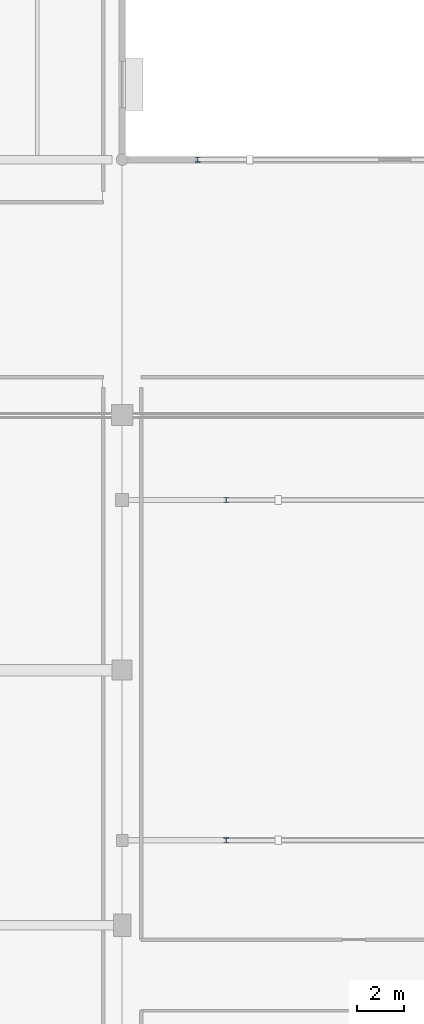
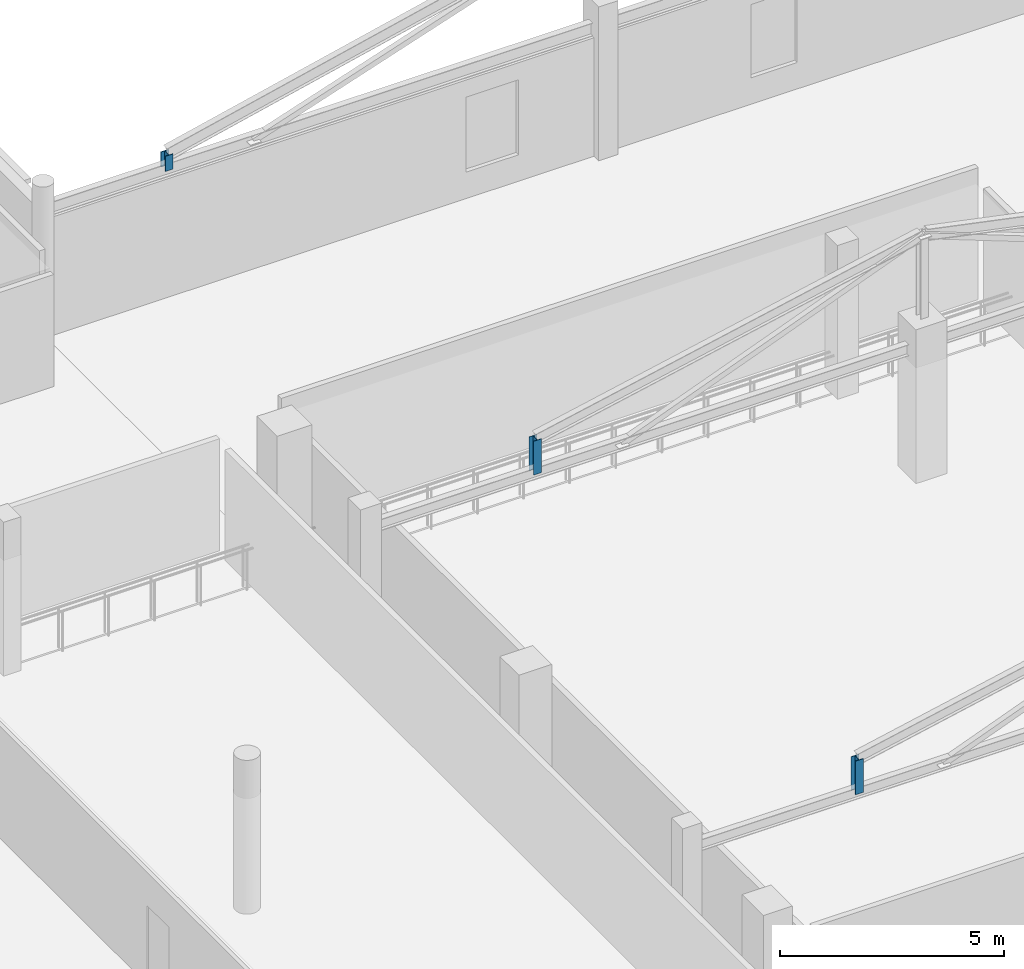
# One storey, part 45 of 92: 3 members.
"""IFC4 building model written with IfcOpenShell, lengths in metres."""

from ifc_helpers import new_model, si_unit, direction, frame, origin, origin_2d, place, context, subcontext, project, spatial, i_section, extrude, material, material_profile, profile_set, type_object, element, save


model = new_model("IFC4")

# Units and contexts
model_context = context("Model", 3, precision=1e-05, world=origin(), true_north=direction((0.0, 1.0)))
body_context = subcontext(model_context, "Body", "Model", "MODEL_VIEW")
ifc_project = project(units=[si_unit("LENGTHUNIT", "METRE"), si_unit("AREAUNIT", "SQUARE_METRE"), si_unit("VOLUMEUNIT", "CUBIC_METRE"), si_unit("PLANEANGLEUNIT", "RADIAN"), si_unit("MASSUNIT", "GRAM", prefix="KILO")], contexts=[model_context])

# Site, building, storey
site_placement = place(None, origin())
site = spatial("IfcSite", under=ifc_project, at=site_placement, CompositionType="ELEMENT")
building_placement = place(site_placement, origin())
building = spatial("IfcBuilding", under=site, at=building_placement, Name="Solanera Park Tramway Depot", CompositionType="ELEMENT")
storey_placement = place(building_placement, frame((0.0, 0.0, 4.800048828125)))
storey = spatial("IfcBuildingStorey", under=building, at=storey_placement, Name="L01", CompositionType="ELEMENT", Elevation=4.800048828125)

# Members
ifc_material = material(Name="Steel AS/NZS 3679.1 Grade 350", Category="steel")
ifc_material_profile = material_profile(ifc_material, i_section(OverallWidth=0.205078125, OverallDepth=0.209716796875, WebThickness=0.00927734375, FlangeThickness=0.01416015625, at=origin_2d()), Name="200UC59.5")
ifc_profile_set = profile_set([ifc_material_profile], Name="Steel AS/NZS 3679.1 Grade 350")
member_type = type_object("IfcMemberType", Name="Roof Gantry Compression Strut 200UC59.5", PredefinedType="STRUT", material=ifc_profile_set)
member_1_placement = place(storey_placement, frame((191.60009765625, 36.0, 3.453125), z_axis=(0.0, 0.0, 1.0), x_axis=(1.0, 0.0, 0.0)))
element("IfcMember", 1, at=member_1_placement, inside=storey, type_object=member_type, Name="Hip ROOF TRUSS Heel Post #0179", PredefinedType="STRUT", context=body_context, shape_type="SweptSolid", body=[
    extrude(i_section(OverallWidth=0.205078125, OverallDepth=0.209716796875, WebThickness=0.00927734375, FlangeThickness=0.01416015625, at=origin_2d()), origin(), (0.0, 0.0, 1.0), 0.918701171875),
])
member_2_placement = place(storey_placement, frame((191.60009765625, 50.39990234375, 3.451416015625), z_axis=(0.0, 0.0, 1.0), x_axis=(1.0, 0.0, 0.0)))
element("IfcMember", 2, at=member_2_placement, inside=storey, type_object=member_type, Name="Hip ROOF TRUSS Heel Post #0182", PredefinedType="STRUT", context=body_context, shape_type="SweptSolid", body=[
    extrude(i_section(OverallWidth=0.205078125, OverallDepth=0.209716796875, WebThickness=0.00927734375, FlangeThickness=0.01416015625, at=origin_2d()), origin(), (0.0, 0.0, 1.0), 0.922119140625),
])
member_3_placement = place(storey_placement, frame((190.39990234375, 64.800048828125, 3.42724609375), z_axis=(0.0, 0.0, 1.0), x_axis=(1.0, 0.0, 0.0)))
element("IfcMember", 3, at=member_3_placement, inside=storey, type_object=member_type, Name="Hip ROOF TRUSS Heel Post #0185", PredefinedType="STRUT", context=body_context, shape_type="SweptSolid", body=[
    extrude(i_section(OverallWidth=0.205078125, OverallDepth=0.209716796875, WebThickness=0.00927734375, FlangeThickness=0.01416015625, at=origin_2d()), origin(), (0.0, 0.0, 1.0), 0.41552734375),
])

save(model, "model.ifc")
